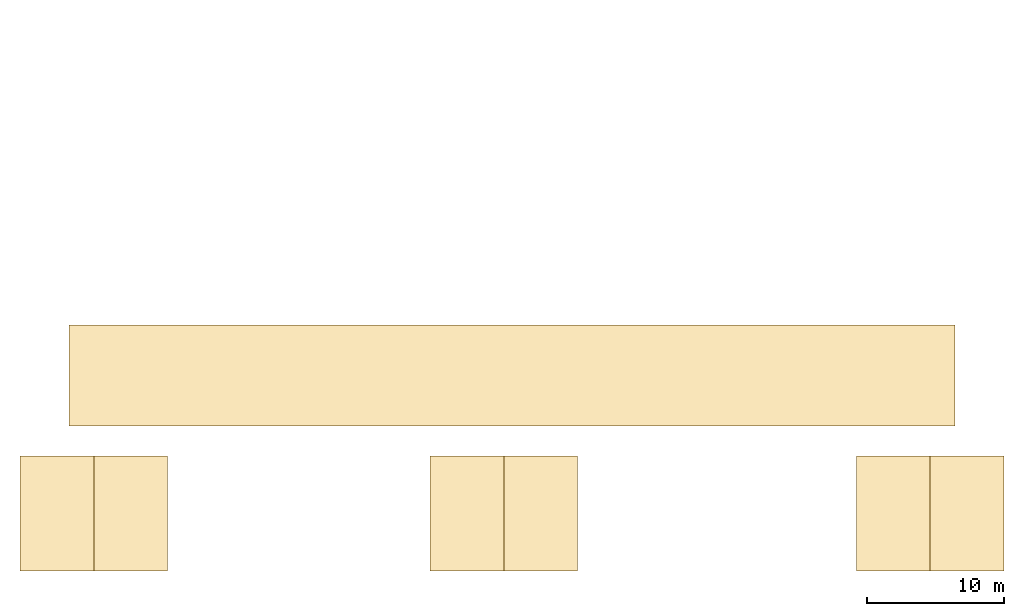
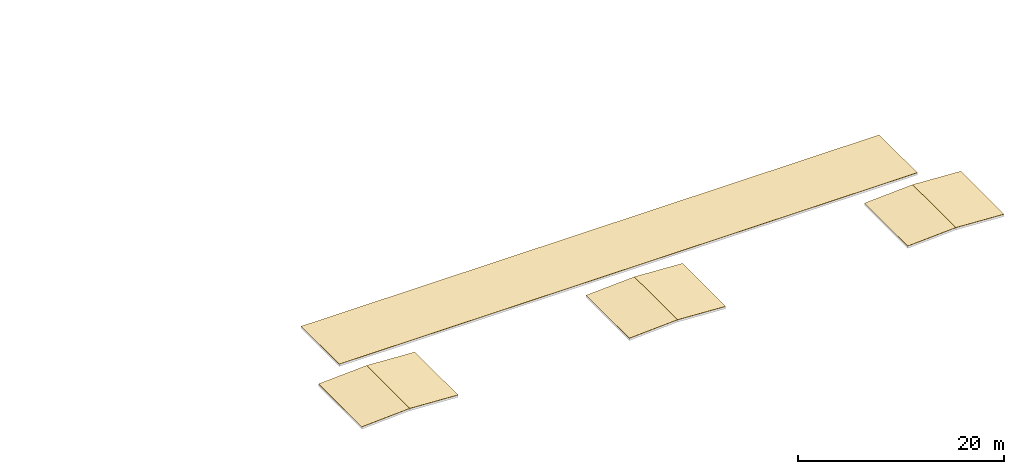
# One storey, part 2 of 2: 7 coverings.
"""IFC4 building model written with IfcOpenShell, lengths in metres."""

from ifc_helpers import new_model, si_unit, direction, frame, origin, place, context, subcontext, project, spatial, polyline, outline, extrude, material, layer, layer_set, type_object, element, save


model = new_model("IFC4")

# Units and contexts
model_context = context("Model", 3, precision=1e-05, world=origin(), true_north=direction((0.0, 1.0)))
body_context = subcontext(model_context, "Body", "Model", "MODEL_VIEW")
ifc_project = project(units=[si_unit("LENGTHUNIT", "METRE"), si_unit("AREAUNIT", "SQUARE_METRE"), si_unit("VOLUMEUNIT", "CUBIC_METRE"), si_unit("PLANEANGLEUNIT", "RADIAN"), si_unit("MASSUNIT", "GRAM", prefix="KILO")], contexts=[model_context])

# Site, building, storey
site_placement = place(None, origin())
site = spatial("IfcSite", under=ifc_project, at=site_placement, CompositionType="ELEMENT")
building_placement = place(site_placement, origin())
building = spatial("IfcBuilding", under=site, at=building_placement, Name="Alderwick Market Hall", CompositionType="ELEMENT")
storey_placement = place(building_placement, frame((0.0, 0.0, 21.10009765625)))
storey = spatial("IfcBuildingStorey", under=building, at=storey_placement, Name="ROOF", CompositionType="ELEMENT", Elevation=21.10009765625)

# Coverings
ifc_material = material(Name="Copper standing seam roofing")
ifc_layer = layer(ifc_material, 0.030029296875)
ifc_layer_set = layer_set([ifc_layer], Name="Copper standing seam roofing")
covering_type = type_object("IfcCoveringType", Name="C Copper Standing Seam Roofing", PredefinedType="ROOFING", material=ifc_layer_set)
covering_1_placement = place(storey_placement, frame((162.0, 25.199951171875, 0.27978515625), z_axis=(0.0, 0.0, 1.0), x_axis=(1.0, 0.0, 0.0)))
element("IfcCovering", 1, at=covering_1_placement, inside=storey, type_object=covering_type, Name="C.roofing.L02.crown", PredefinedType="ROOFING", context=body_context, shape_type="SweptSolid", body=[
    extrude(outline(polyline([(0.0, 0.0), (64.800048828125, 0.0), (64.800048828125, -7.39990234375), (0.0, -7.39990234375), (0.0, 0.0)])), origin(), (0.0, 0.0, -1.0), 0.030029296875),
])
covering_2_placement = place(storey_placement, frame((158.39990234375, 15.60009765625, 0.5302734375), z_axis=(-0.055477519868, 0.0, 0.998459936497), x_axis=(0.998459936497, 0.0, 0.055477519868)))
element("IfcCovering", 2, at=covering_2_placement, inside=storey, type_object=covering_type, Name="C.headroofing.L02.A.w", PredefinedType="ROOFING", context=body_context, shape_type="SweptSolid", body=[
    extrude(outline(polyline([(0.0, 0.0), (5.408475880686431, 0.0), (5.408475880686431, -8.400146484375), (0.0, -8.400146484375), (0.0, 0.0)])), origin(), (0.0, 0.0, -1.0), 0.030029296875),
])
covering_3_placement = place(storey_placement, frame((169.199951171875, 15.60009765625, 0.5302734375), z_axis=(0.0554800204, 0.0, 0.998459797556), x_axis=(-0.998459797556, 0.0, 0.0554800204)))
element("IfcCovering", 3, at=covering_3_placement, inside=storey, type_object=covering_type, Name="C.headroofing.L02.A.e", PredefinedType="ROOFING", context=body_context, shape_type="SweptSolid", body=[
    extrude(outline(polyline([(0.0, 0.0), (5.408232116070456, 0.0), (5.408232116070456, 8.400146484375), (0.0, 8.400146484375), (0.0, 0.0)])), origin(), (0.0, 0.0, -1.0), 0.030029296875),
])
covering_4_placement = place(storey_placement, frame((188.39990234375, 15.60009765625, 0.5302734375), z_axis=(-0.055477519868, 0.0, 0.998459936497), x_axis=(0.998459936497, 0.0, 0.055477519868)))
element("IfcCovering", 4, at=covering_4_placement, inside=storey, type_object=covering_type, Name="C.headroofing.L02.B.w", PredefinedType="ROOFING", context=body_context, shape_type="SweptSolid", body=[
    extrude(outline(polyline([(0.0, 0.0), (5.408475880686431, 0.0), (5.408475880686431, -8.400146484375), (0.0, -8.400146484375), (0.0, 0.0)])), origin(), (0.0, 0.0, -1.0), 0.030029296875),
])
covering_5_placement = place(storey_placement, frame((199.199951171875, 15.60009765625, 0.5302734375), z_axis=(0.0554800204, 0.0, 0.998459797556), x_axis=(-0.998459797556, 0.0, 0.0554800204)))
element("IfcCovering", 5, at=covering_5_placement, inside=storey, type_object=covering_type, Name="C.headroofing.L02.B.e", PredefinedType="ROOFING", context=body_context, shape_type="SweptSolid", body=[
    extrude(outline(polyline([(0.0, 0.0), (5.408232116070456, 0.0), (5.408232116070456, 8.400146484375), (0.0, 8.400146484375), (0.0, 0.0)])), origin(), (0.0, 0.0, -1.0), 0.030029296875),
])
covering_6_placement = place(storey_placement, frame((219.60009765625, 15.60009765625, 0.5302734375), z_axis=(-0.0554800204, 0.0, 0.998459797556), x_axis=(0.998459797556, 0.0, 0.0554800204)))
element("IfcCovering", 6, at=covering_6_placement, inside=storey, type_object=covering_type, Name="C.headroofing.L02.C.w", PredefinedType="ROOFING", context=body_context, shape_type="SweptSolid", body=[
    extrude(outline(polyline([(0.0, 0.0), (5.408232116070456, 0.0), (5.408232116070456, -8.400146484375), (0.0, -8.400146484375), (0.0, 0.0)])), origin(), (0.0, 0.0, -1.0), 0.030029296875),
])
covering_7_placement = place(storey_placement, frame((230.39990234375, 15.60009765625, 0.5302734375), z_axis=(0.0554800204, 0.0, 0.998459797556), x_axis=(-0.998459797556, 0.0, 0.0554800204)))
element("IfcCovering", 7, at=covering_7_placement, inside=storey, type_object=covering_type, Name="C.headroofing.L02.C.e", PredefinedType="ROOFING", context=body_context, shape_type="SweptSolid", body=[
    extrude(outline(polyline([(0.0, 0.0), (5.408232116070456, 0.0), (5.408232116070456, 8.400146484375), (0.0, 8.400146484375), (0.0, 0.0)])), origin(), (0.0, 0.0, -1.0), 0.030029296875),
])

save(model, "model.ifc")
